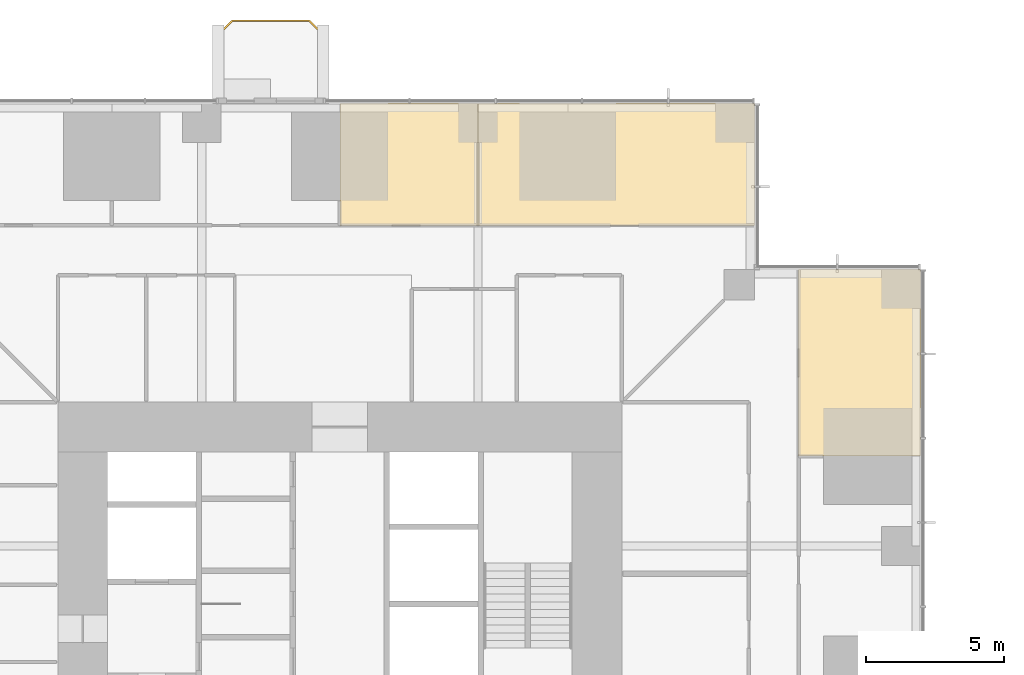
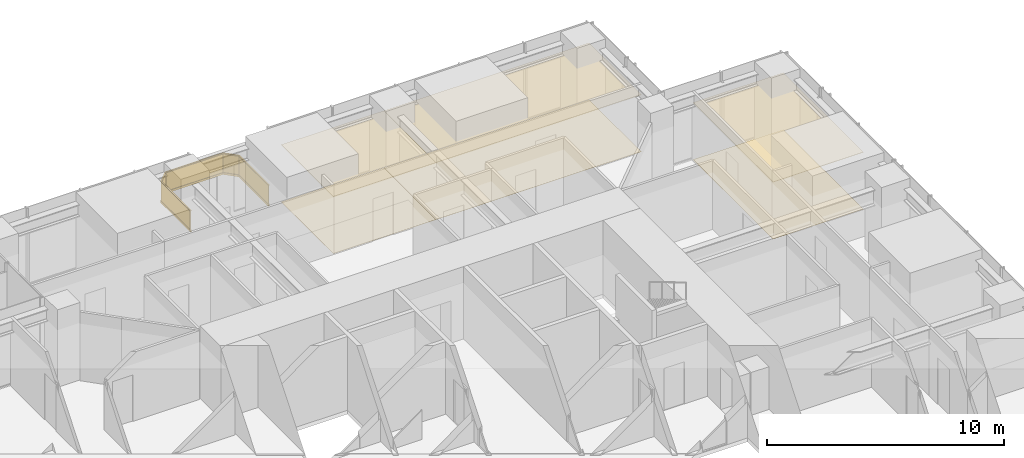
# One storey, part 16 of 17: 6 coverings, 1 railing.
"""IFC4 building model written with IfcOpenShell, lengths in metres."""

from ifc_helpers import new_model, si_unit, direction, frame, origin, origin_2d, place, context, subcontext, project, spatial, polyline, rectangle, outline, extrude, material, layer, layer_set, type_object, element, save


model = new_model("IFC4")

# Units and contexts
model_context = context("Model", 3, precision=1e-05, world=origin(), true_north=direction((0.0, 1.0)))
body_context = subcontext(model_context, "Body", "Model", "MODEL_VIEW")
ifc_project = project(units=[si_unit("LENGTHUNIT", "METRE"), si_unit("AREAUNIT", "SQUARE_METRE"), si_unit("VOLUMEUNIT", "CUBIC_METRE"), si_unit("PLANEANGLEUNIT", "RADIAN"), si_unit("MASSUNIT", "GRAM", prefix="KILO")], contexts=[model_context])

# Site, building, storey
site_placement = place(None, origin())
site = spatial("IfcSite", under=ifc_project, at=site_placement, CompositionType="ELEMENT")
building_placement = place(site_placement, origin())
building = spatial("IfcBuilding", under=site, at=building_placement, Name="Svetlomir Tower", CompositionType="ELEMENT")
storey_placement = place(building_placement, frame((0.0, 0.0, 82.5)))
storey = spatial("IfcBuildingStorey", under=building, at=storey_placement, Name="L19", CompositionType="ELEMENT", Elevation=82.5)

# Railing
ifc_material_1 = material(Name="Bronze anodised aluminium and laminated glass", Category="aluminium")
railing_type = type_object("IfcRailingType", Name="BALCONY GUARD GR1 1100", PredefinedType="GUARDRAIL", material=ifc_material_1)
railing_placement = place(storey_placement, frame((20.39990234375, 42.0, 0.0)))
element("IfcRailing", 1, at=railing_placement, inside=storey, type_object=railing_type, Name="Balcony guard N L19", PredefinedType="GUARDRAIL", context=body_context, shape_type="SweptSolid", body=[
    extrude(rectangle(XDim=0.06005859375, YDim=0.10009765625, at=origin_2d()), frame((0.0, 0.0, 0.050048828125), z_axis=(0.0, 1.0, 0.0), x_axis=(-1.0, 0.0, 0.0)), (0.0, 0.0, 1.0), 2.5),
    extrude(rectangle(XDim=0.021484375, YDim=0.960205078125, at=origin_2d()), frame((0.0, 0.0, 0.580078125), z_axis=(0.0, 1.0, 0.0), x_axis=(-1.0, 0.0, 0.0)), (0.0, 0.0, 1.0), 2.5),
    extrude(rectangle(XDim=0.06005859375, YDim=0.0400390625, at=origin_2d()), frame((0.0, 0.0, 1.080078125), z_axis=(0.0, 1.0, 0.0), x_axis=(-1.0, 0.0, 0.0)), (0.0, 0.0, 1.0), 2.5),
    extrude(rectangle(XDim=0.06005859375, YDim=0.10009765625, at=origin_2d()), frame((0.0, 2.5, 0.050048828125), z_axis=(-0.707106781187, 0.707106781187, 0.0), x_axis=(-0.707106781187, -0.707106781187, 0.0)), (0.0, 0.0, 1.0), 0.70703125),
    extrude(rectangle(XDim=0.021484375, YDim=0.960205078125, at=origin_2d()), frame((0.0, 2.5, 0.580078125), z_axis=(-0.707106781187, 0.707106781187, 0.0), x_axis=(-0.707106781187, -0.707106781187, 0.0)), (0.0, 0.0, 1.0), 0.70703125),
    extrude(rectangle(XDim=0.06005859375, YDim=0.0400390625, at=origin_2d()), frame((0.0, 2.5, 1.080078125), z_axis=(-0.707106781187, 0.707106781187, 0.0), x_axis=(-0.707106781187, -0.707106781187, 0.0)), (0.0, 0.0, 1.0), 0.70703125),
    extrude(rectangle(XDim=0.06005859375, YDim=0.10009765625, at=origin_2d()), frame((-0.5, 3.0, 0.050048828125), z_axis=(-1.0, 0.0, 0.0), x_axis=(0.0, -1.0, 0.0)), (0.0, 0.0, 1.0), 2.7998046875),
    extrude(rectangle(XDim=0.021484375, YDim=0.960205078125, at=origin_2d()), frame((-0.5, 3.0, 0.580078125), z_axis=(-1.0, 0.0, 0.0), x_axis=(0.0, -1.0, 0.0)), (0.0, 0.0, 1.0), 2.7998046875),
    extrude(rectangle(XDim=0.06005859375, YDim=0.0400390625, at=origin_2d()), frame((-0.5, 3.0, 1.080078125), z_axis=(-1.0, 0.0, 0.0), x_axis=(0.0, -1.0, 0.0)), (0.0, 0.0, 1.0), 2.7998046875),
    extrude(rectangle(XDim=0.06005859375, YDim=0.10009765625, at=origin_2d()), frame((-3.2998046875, 3.0, 0.050048828125), z_axis=(-0.707106781187, -0.707106781187, 0.0), x_axis=(0.707106781187, -0.707106781187, 0.0)), (0.0, 0.0, 1.0), 0.70703125),
    extrude(rectangle(XDim=0.021484375, YDim=0.960205078125, at=origin_2d()), frame((-3.2998046875, 3.0, 0.580078125), z_axis=(-0.707106781187, -0.707106781187, 0.0), x_axis=(0.707106781187, -0.707106781187, 0.0)), (0.0, 0.0, 1.0), 0.70703125),
    extrude(rectangle(XDim=0.06005859375, YDim=0.0400390625, at=origin_2d()), frame((-3.2998046875, 3.0, 1.080078125), z_axis=(-0.707106781187, -0.707106781187, 0.0), x_axis=(0.707106781187, -0.707106781187, 0.0)), (0.0, 0.0, 1.0), 0.70703125),
    extrude(rectangle(XDim=0.06005859375, YDim=0.10009765625, at=origin_2d()), frame((-3.7998046875, 2.5, 0.050048828125), z_axis=(0.0, -1.0, 0.0), x_axis=(1.0, 0.0, 0.0)), (0.0, 0.0, 1.0), 2.5),
    extrude(rectangle(XDim=0.021484375, YDim=0.960205078125, at=origin_2d()), frame((-3.7998046875, 2.5, 0.580078125), z_axis=(0.0, -1.0, 0.0), x_axis=(1.0, 0.0, 0.0)), (0.0, 0.0, 1.0), 2.5),
    extrude(rectangle(XDim=0.06005859375, YDim=0.0400390625, at=origin_2d()), frame((-3.7998046875, 2.5, 1.080078125), z_axis=(0.0, -1.0, 0.0), x_axis=(1.0, 0.0, 0.0)), (0.0, 0.0, 1.0), 2.5),
])

# Coverings
ifc_material_2 = material(Name="Carpet tile", Category="textile")
ifc_layer_1 = layer(ifc_material_2, 0.010009765625)
ifc_layer_set_1 = layer_set([ifc_layer_1], Name="Carpet tile")
covering_type_1 = type_object("IfcCoveringType", Name="CARPET TILE FLOOR 10", PredefinedType="FLOORING", material=ifc_layer_set_1)
covering_1_placement = place(storey_placement, origin())
element("IfcCovering", 2, at=covering_1_placement, inside=storey, type_object=covering_type_1, Name="Floor finish L19-23", PredefinedType="FLOORING", context=body_context, shape_type="SweptSolid", body=[
    extrude(outline(polyline([(37.60009765625, 29.25), (42.0, 29.25), (42.0, 36.0), (37.60009765625, 36.0), (37.60009765625, 29.25)])), origin(), (0.0, 0.0, 1.0), 0.010009765625),
])
covering_2_placement = place(storey_placement, origin())
element("IfcCovering", 3, at=covering_2_placement, inside=storey, type_object=covering_type_1, Name="Floor finish L19-29", PredefinedType="FLOORING", context=body_context, shape_type="SweptSolid", body=[
    extrude(outline(polyline([(21.0, 37.60009765625), (26.0, 37.60009765625), (26.0, 42.0), (21.0, 42.0), (21.0, 37.60009765625)])), origin(), (0.0, 0.0, 1.0), 0.010009765625),
])
covering_3_placement = place(storey_placement, origin())
element("IfcCovering", 4, at=covering_3_placement, inside=storey, type_object=covering_type_1, Name="Floor finish L19-46", PredefinedType="FLOORING", context=body_context, shape_type="SweptSolid", body=[
    extrude(outline(polyline([(26.0, 37.60009765625), (26.0, 42.0), (36.0, 42.0), (36.0, 37.60009765625), (26.0, 37.60009765625)])), origin(), (0.0, 0.0, 1.0), 0.010009765625),
])
ifc_material_3 = material(Name="Mineral fibre ceiling tile", Category="mineral")
ifc_layer_2 = layer(ifc_material_3, 0.02001953125)
ifc_layer_set_2 = layer_set([ifc_layer_2], Name="Mineral fibre ceiling tile")
covering_type_2 = type_object("IfcCoveringType", Name="SUSPENDED CEILING 20", PredefinedType="CEILING", material=ifc_layer_set_2)
covering_4_placement = place(storey_placement, frame((0.0, 0.0, 2.929931640625)))
element("IfcCovering", 5, at=covering_4_placement, inside=storey, type_object=covering_type_2, Name="Ceiling L19-23", PredefinedType="CEILING", context=body_context, shape_type="SweptSolid", body=[
    extrude(outline(polyline([(37.60009765625, 29.25), (42.0, 29.25), (42.0, 36.0), (37.60009765625, 36.0), (37.60009765625, 29.25)])), origin(), (0.0, 0.0, 1.0), 0.02001953125),
])
covering_5_placement = place(storey_placement, frame((0.0, 0.0, 2.929931640625)))
element("IfcCovering", 6, at=covering_5_placement, inside=storey, type_object=covering_type_2, Name="Ceiling L19-29", PredefinedType="CEILING", context=body_context, shape_type="SweptSolid", body=[
    extrude(outline(polyline([(21.0, 37.60009765625), (26.0, 37.60009765625), (26.0, 42.0), (21.0, 42.0), (21.0, 37.60009765625)])), origin(), (0.0, 0.0, 1.0), 0.02001953125),
])
covering_6_placement = place(storey_placement, frame((0.0, 0.0, 2.929931640625)))
element("IfcCovering", 7, at=covering_6_placement, inside=storey, type_object=covering_type_2, Name="Ceiling L19-46", PredefinedType="CEILING", context=body_context, shape_type="SweptSolid", body=[
    extrude(outline(polyline([(26.0, 37.60009765625), (26.0, 42.0), (36.0, 42.0), (36.0, 37.60009765625), (26.0, 37.60009765625)])), origin(), (0.0, 0.0, 1.0), 0.02001953125),
])

save(model, "model.ifc")
